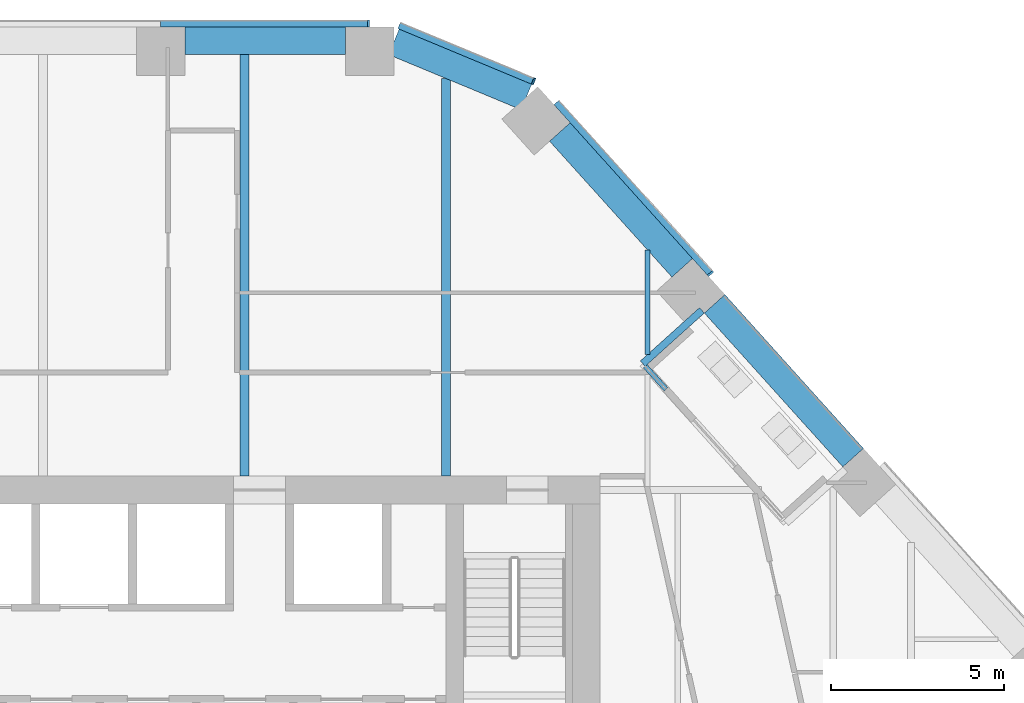
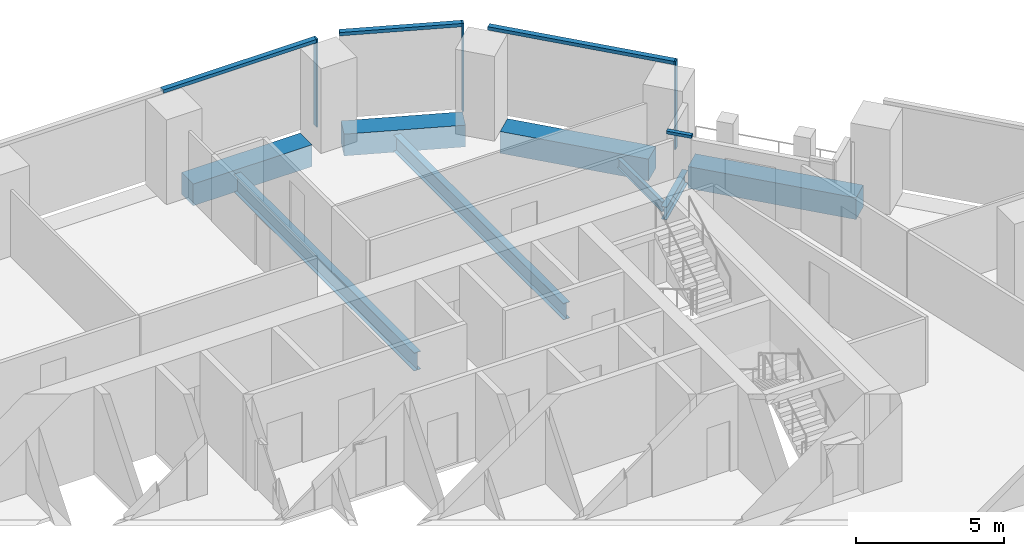
# One storey, part 11 of 26: 8 beams, 7 members, 4 elements without a shape of their own.
"""IFC4 building model written with IfcOpenShell, lengths in metres."""

from ifc_helpers import new_model, si_unit, direction, frame, origin, origin_2d, place, context, subcontext, project, spatial, rectangle, i_section, extrude, material, layer, layer_set, material_profile, profile_set, type_object, element, aggregate, save


model = new_model("IFC4")

# Units and contexts
model_context = context("Model", 3, precision=1e-05, world=origin(), true_north=direction((0.0, 1.0)))
body_context = subcontext(model_context, "Body", "Model", "MODEL_VIEW")
ifc_project = project(units=[si_unit("LENGTHUNIT", "METRE"), si_unit("AREAUNIT", "SQUARE_METRE"), si_unit("VOLUMEUNIT", "CUBIC_METRE"), si_unit("PLANEANGLEUNIT", "RADIAN"), si_unit("MASSUNIT", "GRAM", prefix="KILO")], contexts=[model_context])

# Site, building, storey
site_placement = place(None, origin())
site = spatial("IfcSite", under=ifc_project, at=site_placement, CompositionType="ELEMENT")
building_placement = place(site_placement, origin())
building = spatial("IfcBuilding", under=site, at=building_placement, Name="Isthmus Gate Tower", CompositionType="ELEMENT")
storey_placement = place(building_placement, frame((0.0, 0.0, 144.39990234375)))
storey = spatial("IfcBuildingStorey", under=building, at=storey_placement, Name="L35", CompositionType="ELEMENT", Elevation=144.39990234375)

# Curtain wall, member
ifc_material_1 = material(Name="Aluminium, pale champagne anodised", Category="aluminium")
ifc_layer_1 = layer(ifc_material_1, 0.199951171875)
ifc_layer_set_1 = layer_set([ifc_layer_1], Name="CW-1 UNITISED CURTAIN WALL 200 DEEP")
curtain_wall_type_1 = type_object("IfcCurtainWallType", Name="CW-1 UNITISED CURTAIN WALL 200 DEEP", PredefinedType="NOTDEFINED", material=ifc_layer_set_1)
curtain_wall_1_placement = place(storey_placement, origin())
curtain_wall_1 = element("IfcCurtainWall", 1, at=curtain_wall_1_placement, inside=storey, type_object=curtain_wall_type_1, Name="CW-1 N L35", PredefinedType="NOTDEFINED")
ifc_material_2 = material(Name="Aluminium, pale champagne anodised", Category="aluminium")
ifc_material_profile_1 = material_profile(ifc_material_2, rectangle(XDim=0.06005859375, YDim=0.199951171875, at=origin_2d()), Name="60x200")
ifc_profile_set_1 = profile_set([ifc_material_profile_1], Name="Aluminium, pale champagne anodised")
member_type_1 = type_object("IfcMemberType", Name="CW-1 MULLION 60 X 200", PredefinedType="MULLION", material=ifc_profile_set_1)
member_1_placement = place(storey_placement, frame((8.30859375, 28.10009765625, 0.0), z_axis=(0.0, 0.0, 1.0), x_axis=(-1.0, 0.0, 0.0)))
member_1 = element("IfcMember", 2, at=member_1_placement, type_object=member_type_1, Name="CW-1 mullion", PredefinedType="MULLION", context=body_context, shape_type="SweptSolid", body=[
    extrude(rectangle(XDim=0.06005859375, YDim=0.199951171875, at=origin_2d()), origin(), (0.0, 0.0, 1.0), 3.650146484375),
])

curtain_wall_2_placement = place(storey_placement, origin())
curtain_wall_2 = element("IfcCurtainWall", 3, at=curtain_wall_2_placement, inside=storey, type_object=curtain_wall_type_1, Name="CW-1 NE L35", PredefinedType="NOTDEFINED")
member_2_placement = place(storey_placement, frame((18.201416015625, 20.865478515625, 0.0), z_axis=(0.0, 0.0, 1.0), x_axis=(-0.669130606359, 0.743144825477, 0.0)))
member_2 = element("IfcMember", 4, at=member_2_placement, type_object=member_type_1, Name="CW-1 mullion", PredefinedType="MULLION", context=body_context, shape_type="SweptSolid", body=[
    extrude(rectangle(XDim=0.06005859375, YDim=0.199951171875, at=origin_2d()), origin(), (0.0, 0.0, 1.0), 3.650146484375),
])

curtain_wall_3_placement = place(storey_placement, origin())
curtain_wall_3 = element("IfcCurtainWall", 5, at=curtain_wall_3_placement, inside=storey, type_object=curtain_wall_type_1, Name="CW-1 NE-N L35", PredefinedType="NOTDEFINED")
member_3_placement = place(storey_placement, frame((13.080810546875, 26.427490234375, 0.0), z_axis=(0.0, 0.0, 1.0), x_axis=(-0.923353128387, 0.383951820282, 0.0)))
member_3 = element("IfcMember", 6, at=member_3_placement, type_object=member_type_1, Name="CW-1 mullion", PredefinedType="MULLION", context=body_context, shape_type="SweptSolid", body=[
    extrude(rectangle(XDim=0.06005859375, YDim=0.199951171875, at=origin_2d()), origin(), (0.0, 0.0, 1.0), 3.650146484375),
])

# Member
ifc_material_3 = material(Name="Aluminium, pale champagne anodised", Category="aluminium")
ifc_material_profile_2 = material_profile(ifc_material_3, rectangle(XDim=0.199951171875, YDim=0.139892578125, at=origin_2d()), Name="200x140")
ifc_profile_set_2 = profile_set([ifc_material_profile_2], Name="Aluminium, pale champagne anodised")
member_type_2 = type_object("IfcMemberType", Name="CW-1 TRANSOM 200 X 140", PredefinedType="USERDEFINED", material=ifc_profile_set_2)
member_4_placement = place(storey_placement, frame((8.278564453125, 28.10009765625, 3.580078125), z_axis=(-1.0, 0.0, 0.0), x_axis=(0.0, -1.0, 0.0)))
member_4 = element("IfcMember", 7, at=member_4_placement, type_object=member_type_2, Name="CW-1 transom", ObjectType="TRANSOM", PredefinedType="USERDEFINED", context=body_context, shape_type="SweptSolid", body=[
    extrude(rectangle(XDim=0.199951171875, YDim=0.139892578125, at=origin_2d()), origin(), (0.0, 0.0, 1.0), 5.990234375),
])

aggregate(curtain_wall_1, [member_1, member_4])

member_5_placement = place(storey_placement, frame((18.181396484375, 20.887939453125, 3.580078125), z_axis=(-0.66913355839, 0.743142167446, 0.0), x_axis=(-0.743142167446, -0.66913355839, 0.0)))
member_5 = element("IfcMember", 8, at=member_5_placement, type_object=member_type_2, Name="CW-1 transom", ObjectType="TRANSOM", PredefinedType="USERDEFINED", context=body_context, shape_type="SweptSolid", body=[
    extrude(rectangle(XDim=0.199951171875, YDim=0.139892578125, at=origin_2d()), origin(), (0.0, 0.0, 1.0), 6.630615234375),
])

aggregate(curtain_wall_2, [member_2, member_5])

member_6_placement = place(storey_placement, frame((13.05322265625, 26.43896484375, 3.580078125), z_axis=(-0.923358236369, 0.383939536033, 0.0), x_axis=(-0.383939536033, -0.923358236369, 0.0)))
member_6 = element("IfcMember", 9, at=member_6_placement, type_object=member_type_2, Name="CW-1 transom", ObjectType="TRANSOM", PredefinedType="USERDEFINED", context=body_context, shape_type="SweptSolid", body=[
    extrude(rectangle(XDim=0.199951171875, YDim=0.139892578125, at=origin_2d()), origin(), (0.0, 0.0, 1.0), 4.181640625),
])

aggregate(curtain_wall_3, [member_3, member_6])

# Curtain wall, member
ifc_material_4 = material(Name="Aluminium, pale champagne anodised", Category="aluminium")
ifc_layer_2 = layer(ifc_material_4, 0.14990234375)
ifc_layer_set_2 = layer_set([ifc_layer_2], Name="CW-6 LOGGIA BACK WALL GLAZING 150 DEEP")
curtain_wall_type_2 = type_object("IfcCurtainWallType", Name="CW-6 LOGGIA BACK WALL GLAZING 150 DEEP", PredefinedType="NOTDEFINED", material=ifc_layer_set_2)
curtain_wall_4_placement = place(storey_placement, origin())
curtain_wall_4 = element("IfcCurtainWall", 10, at=curtain_wall_4_placement, inside=storey, type_object=curtain_wall_type_2, Name="CW-6 NE L35", PredefinedType="NOTDEFINED")
ifc_material_5 = material(Name="Aluminium, pale champagne anodised", Category="aluminium")
ifc_material_profile_3 = material_profile(ifc_material_5, rectangle(XDim=0.14990234375, YDim=0.1201171875, at=origin_2d()), Name="150x120")
ifc_profile_set_3 = profile_set([ifc_material_profile_3], Name="Aluminium, pale champagne anodised")
member_type_3 = type_object("IfcMemberType", Name="CW-6 TRANSOM 150 X 120", PredefinedType="USERDEFINED", material=ifc_profile_set_3)
member_7_placement = place(storey_placement, frame((16.910888671875, 17.516357421875, 2.989990234375), z_axis=(-0.669055104111, 0.743212801062, 0.0), x_axis=(-0.743212801062, -0.669055104111, 0.0)))
member_7 = element("IfcMember", 11, at=member_7_placement, type_object=member_type_3, Name="CW-6 transom", ObjectType="TRANSOM", PredefinedType="USERDEFINED", context=body_context, shape_type="SweptSolid", body=[
    extrude(rectangle(XDim=0.14990234375, YDim=0.1201171875, at=origin_2d()), origin(), (0.0, 0.0, 1.0), 0.8955078125),
])
aggregate(curtain_wall_4, [member_7])

# Beams
ifc_material_6 = material(Name="Concrete f'c 60 MPa", Category="concrete")
ifc_material_profile_4 = material_profile(ifc_material_6, rectangle(XDim=0.800048828125, YDim=0.89990234375, at=origin_2d()), Name="RC 800X900")
ifc_profile_set_4 = profile_set([ifc_material_profile_4], Name="Concrete f'c 60 MPa")
beam_type_1 = type_object("IfcBeamType", Name="RC SPANDREL 800 X 900", PredefinedType="SPANDREL", material=ifc_profile_set_4)
beam_1_placement = place(storey_placement, frame((9.03857421875, 27.56689453125, -0.449951171875), z_axis=(0.923342835736, -0.383976571805, 0.0), x_axis=(0.383976571805, 0.923342835736, 0.0)))
element("IfcBeam", 12, at=beam_1_placement, inside=storey, type_object=beam_type_1, Name="str-spandrel-L35-00", PredefinedType="SPANDREL", context=body_context, shape_type="SweptSolid", body=[
    extrude(rectangle(XDim=0.800048828125, YDim=0.89990234375, at=origin_2d()), origin(), (0.0, 0.0, 1.0), 4.152587890625),
])
beam_2_placement = place(storey_placement, frame((13.84130859375, 24.960693359375, -0.449951171875), z_axis=(0.669153370522, -0.743124327901, 0.0), x_axis=(0.743124327901, 0.669153370522, 0.0)))
element("IfcBeam", 13, at=beam_2_placement, inside=storey, type_object=beam_type_1, Name="str-spandrel-L35-01", PredefinedType="SPANDREL", context=body_context, shape_type="SweptSolid", body=[
    extrude(rectangle(XDim=0.800048828125, YDim=0.89990234375, at=origin_2d()), origin(), (0.0, 0.0, 1.0), 5.290771484375),
])
beam_3_placement = place(storey_placement, frame((18.318359375, 19.988525390625, -0.449951171875), z_axis=(0.669133582923, -0.743142145356, 0.0), x_axis=(0.743142145356, 0.669133582923, 0.0)))
element("IfcBeam", 14, at=beam_3_placement, inside=storey, type_object=beam_type_1, Name="str-spandrel-L35-02", PredefinedType="SPANDREL", context=body_context, shape_type="SweptSolid", body=[
    extrude(rectangle(XDim=0.800048828125, YDim=0.89990234375, at=origin_2d()), origin(), (0.0, 0.0, 1.0), 5.99072265625),
])
beam_4_placement = place(storey_placement, frame((2.988525390625, 27.60009765625, -0.449951171875), z_axis=(1.0, 0.0, 0.0), x_axis=(0.0, 1.0, 0.0)))
element("IfcBeam", 15, at=beam_4_placement, inside=storey, type_object=beam_type_1, Name="str-spandrel-L35-29", PredefinedType="SPANDREL", context=body_context, shape_type="SweptSolid", body=[
    extrude(rectangle(XDim=0.800048828125, YDim=0.89990234375, at=origin_2d()), origin(), (0.0, 0.0, 1.0), 4.650146484375),
])
ifc_material_7 = material(Name="Structural steel ASTM A992 Gr 50", Category="steel")
ifc_material_profile_5 = material_profile(ifc_material_7, i_section(OverallWidth=0.1396484375, OverallDepth=0.4033203125, WebThickness=0.00634765625, FlangeThickness=0.010986328125, at=origin_2d()), Name="W16X31")
ifc_profile_set_5 = profile_set([ifc_material_profile_5], Name="Structural steel ASTM A992 Gr 50")
beam_type_2 = type_object("IfcBeamType", Name="STEEL FLOOR BEAM W16X31", PredefinedType="JOIST", material=ifc_profile_set_5)
beam_5_placement = place(storey_placement, frame((16.3798828125, 18.52490234375, -0.3515625), z_axis=(0.0, 1.0, 0.0), x_axis=(-1.0, 0.0, 0.0)))
element("IfcBeam", 16, at=beam_5_placement, inside=storey, type_object=beam_type_2, Name="str-beam-L35-08-07", PredefinedType="JOIST", context=body_context, shape_type="SweptSolid", body=[
    extrude(i_section(OverallWidth=0.1396484375, OverallDepth=0.4033203125, WebThickness=0.00634765625, FlangeThickness=0.010986328125, at=origin_2d()), origin(), (0.0, 0.0, 1.0), 3.018798828125),
])
ifc_material_8 = material(Name="Structural steel ASTM A992 Gr 50", Category="steel")
ifc_material_profile_6 = material_profile(ifc_material_8, i_section(OverallWidth=0.25390625, OverallDepth=0.679443359375, WebThickness=0.010986328125, FlangeThickness=0.015869140625, at=origin_2d()), Name="W27X84")
ifc_profile_set_6 = profile_set([ifc_material_profile_6], Name="Structural steel ASTM A992 Gr 50")
beam_type_3 = type_object("IfcBeamType", Name="STEEL FLOOR BEAM W27X84", PredefinedType="JOIST", material=ifc_profile_set_6)
beam_6_placement = place(storey_placement, frame((10.548828125, 15.0, -0.489501953125), z_axis=(0.0, 1.0, 0.0), x_axis=(-1.0, 0.0, 0.0)))
element("IfcBeam", 17, at=beam_6_placement, inside=storey, type_object=beam_type_3, Name="str-beam-L35-08-05", PredefinedType="JOIST", context=body_context, shape_type="SweptSolid", body=[
    extrude(i_section(OverallWidth=0.25390625, OverallDepth=0.679443359375, WebThickness=0.010986328125, FlangeThickness=0.015869140625, at=origin_2d()), origin(), (0.0, 0.0, 1.0), 11.505615234375),
])
ifc_material_9 = material(Name="Structural steel ASTM A992 Gr 50", Category="steel")
ifc_material_profile_7 = material_profile(ifc_material_9, i_section(OverallWidth=0.263427734375, OverallDepth=0.749267578125, WebThickness=0.0126953125, FlangeThickness=0.015869140625, at=origin_2d()), Name="W30X90")
ifc_profile_set_7 = profile_set([ifc_material_profile_7], Name="Structural steel ASTM A992 Gr 50")
beam_type_4 = type_object("IfcBeamType", Name="STEEL FLOOR BEAM W30X90", PredefinedType="JOIST", material=ifc_profile_set_7)
beam_7_placement = place(storey_placement, frame((4.7177734375, 15.0, -0.524658203125), z_axis=(0.0, 1.0, 0.0), x_axis=(-1.0, 0.0, 0.0)))
element("IfcBeam", 18, at=beam_7_placement, inside=storey, type_object=beam_type_4, Name="str-beam-L35-08-04", PredefinedType="JOIST", context=body_context, shape_type="SweptSolid", body=[
    extrude(i_section(OverallWidth=0.263427734375, OverallDepth=0.749267578125, WebThickness=0.0126953125, FlangeThickness=0.015869140625, at=origin_2d()), origin(), (0.0, 0.0, 1.0), 12.199951171875),
])
ifc_material_10 = material(Name="Structural steel ASTM A992 Gr 50", Category="steel")
ifc_material_profile_8 = material_profile(ifc_material_10, i_section(OverallWidth=0.20947265625, OverallDepth=0.533447265625, WebThickness=0.009521484375, FlangeThickness=0.015869140625, at=origin_2d()), Name="W21X62")
ifc_profile_set_8 = profile_set([ifc_material_profile_8], Name="Structural steel ASTM A992 Gr 50")
beam_type_5 = type_object("IfcBeamType", Name="STEEL TRIMMER W21X62", PredefinedType="BEAM", material=ifc_profile_set_8)
beam_8_placement = place(storey_placement, frame((17.950927734375, 19.798828125, -0.41650390625), z_axis=(-0.743109762025, -0.669169546217, 0.0), x_axis=(0.669169546217, -0.743109762025, 0.0)))
element("IfcBeam", 19, at=beam_8_placement, inside=storey, type_object=beam_type_5, Name="str-loggiatrim-L35-05-C", PredefinedType="BEAM", context=body_context, shape_type="SweptSolid", body=[
    extrude(i_section(OverallWidth=0.20947265625, OverallDepth=0.533447265625, WebThickness=0.009521484375, FlangeThickness=0.015869140625, at=origin_2d()), origin(), (0.0, 0.0, 1.0), 2.3046875),
])

save(model, "model.ifc")
